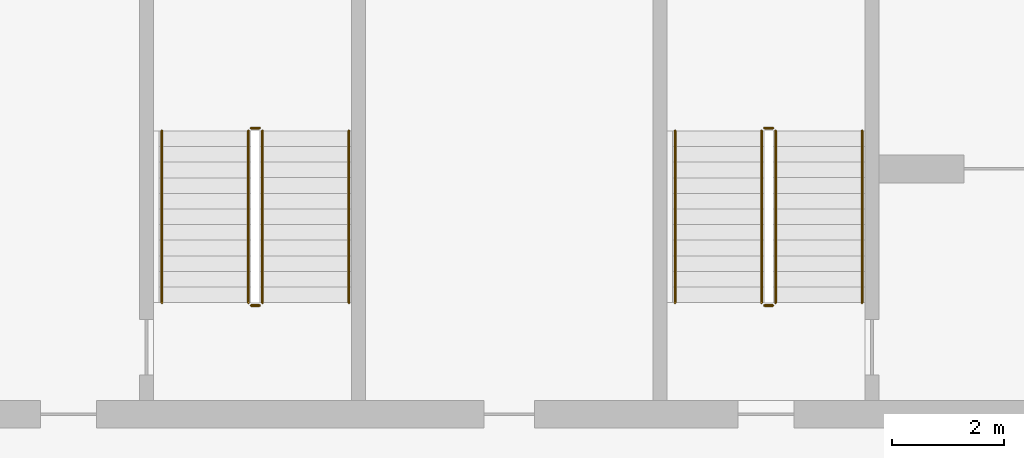
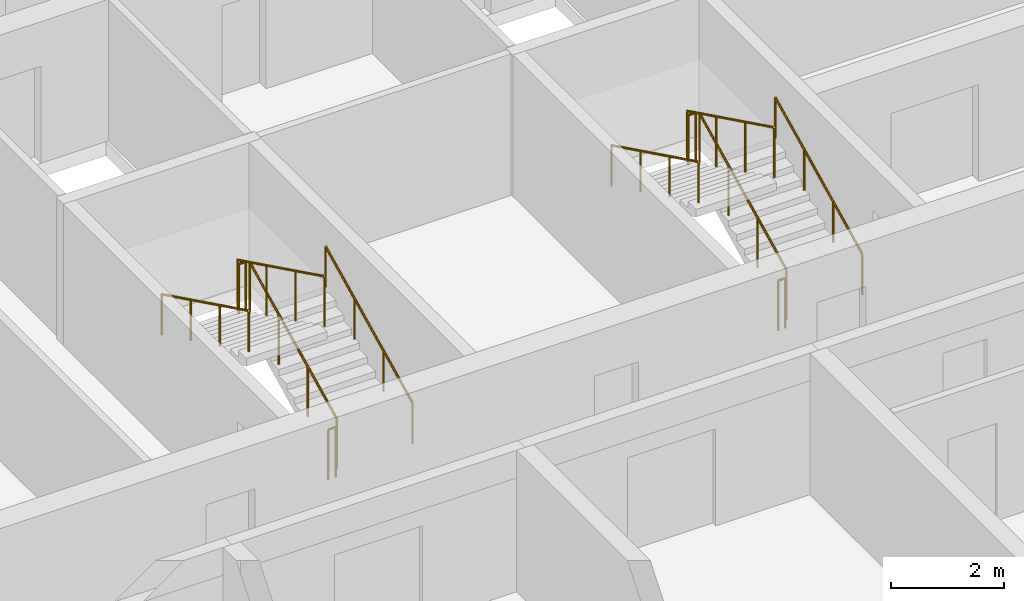
# One storey, part 16 of 18: 12 railings.
"""IFC4 building model written with IfcOpenShell, lengths in metres."""

from ifc_helpers import new_model, si_unit, direction, frame, origin, origin_2d, place, context, subcontext, project, spatial, circle, extrude, material, type_object, element, save


model = new_model("IFC4")

# Units and contexts
model_context = context("Model", 3, precision=1e-05, world=origin(), true_north=direction((0.0, 1.0)))
body_context = subcontext(model_context, "Body", "Model", "MODEL_VIEW")
ifc_project = project(units=[si_unit("LENGTHUNIT", "METRE"), si_unit("AREAUNIT", "SQUARE_METRE"), si_unit("VOLUMEUNIT", "CUBIC_METRE"), si_unit("PLANEANGLEUNIT", "RADIAN"), si_unit("MASSUNIT", "GRAM", prefix="KILO")], contexts=[model_context])

# Site, building, storey
site_placement = place(None, origin())
site = spatial("IfcSite", under=ifc_project, at=site_placement, CompositionType="ELEMENT")
building_placement = place(site_placement, origin())
building = spatial("IfcBuilding", under=site, at=building_placement, Name="Poui Terraces", CompositionType="ELEMENT")
storey_placement = place(building_placement, frame((0.0, 0.0, 105.89990234375)))
storey = spatial("IfcBuildingStorey", under=building, at=storey_placement, Name="L29", CompositionType="ELEMENT", Elevation=105.89990234375)

# Railings
ifc_material_1 = material(Name="Galvanised steel balustrade", Category="steel")
railing_type_1 = type_object("IfcRailingType", Name="STAIR GUARD 1100", PredefinedType="GUARDRAIL", material=ifc_material_1)
railing_1_placement = place(storey_placement, frame((32.074951171875, 16.60009765625, 0.1376953125)))
element("IfcRailing", 1, at=railing_1_placement, inside=storey, type_object=railing_type_1, Name="L29 ST-CW stair guard 1", PredefinedType="GUARDRAIL", context=body_context, shape_type="SweptSolid", body=[
    extrude(circle(Radius=0.02392578125, at=origin_2d()), frame((0.0, 0.0, 1.076171875), z_axis=(0.0, 0.897606190399, 0.440798283751), x_axis=(-1.0, 0.0, 0.0)), (0.0, 0.0, 1.0), 3.43115234375),
    extrude(circle(Radius=0.02099609375, at=origin_2d()), origin(), (0.0, 0.0, 1.0), 1.052001953125),
    extrude(circle(Radius=0.02099609375, at=origin_2d()), frame((0.0, 1.026611328125, 0.504150390625)), (0.0, 0.0, 1.0), 1.052001953125),
    extrude(circle(Radius=0.02099609375, at=origin_2d()), frame((0.0, 2.05322265625, 1.00830078125)), (0.0, 0.0, 1.0), 1.052001953125),
    extrude(circle(Radius=0.02099609375, at=origin_2d()), frame((0.0, 3.079833984375, 1.512451171875)), (0.0, 0.0, 1.0), 1.052001953125),
])
railing_2_placement = place(storey_placement, frame((32.02490234375, 19.72998046875, 1.650146484375)))
element("IfcRailing", 2, at=railing_2_placement, inside=storey, type_object=railing_type_1, Name="L29 ST-CW stair guard 2", PredefinedType="GUARDRAIL", context=body_context, shape_type="SweptSolid", body=[
    extrude(circle(Radius=0.02392578125, at=origin_2d()), frame((0.0, 0.0, 1.076171875), z_axis=(-1.0, 0.0, 0.0), x_axis=(0.0, -1.0, 0.0)), (0.0, 0.0, 1.0), 0.14990234375),
    extrude(circle(Radius=0.02099609375, at=origin_2d()), origin(), (0.0, 0.0, 1.0), 1.052001953125),
    extrude(circle(Radius=0.02099609375, at=origin_2d()), frame((-0.14990234375, 0.0, 0.0)), (0.0, 0.0, 1.0), 1.052001953125),
])
railing_3_placement = place(storey_placement, frame((31.824951171875, 19.679931640625, 1.78759765625)))
element("IfcRailing", 3, at=railing_3_placement, inside=storey, type_object=railing_type_1, Name="L29 ST-CW stair guard 3", PredefinedType="GUARDRAIL", context=body_context, shape_type="SweptSolid", body=[
    extrude(circle(Radius=0.02392578125, at=origin_2d()), frame((0.0, 0.0, 1.076171875), z_axis=(0.0, -0.897606190399, 0.440798283751), x_axis=(1.0, 0.0, 0.0)), (0.0, 0.0, 1.0), 3.43115234375),
    extrude(circle(Radius=0.02099609375, at=origin_2d()), origin(), (0.0, 0.0, 1.0), 1.052001953125),
    extrude(circle(Radius=0.02099609375, at=origin_2d()), frame((0.0, -1.026611328125, 0.504150390625)), (0.0, 0.0, 1.0), 1.052001953125),
    extrude(circle(Radius=0.02099609375, at=origin_2d()), frame((0.0, -2.05322265625, 1.00830078125)), (0.0, 0.0, 1.0), 1.052001953125),
    extrude(circle(Radius=0.02099609375, at=origin_2d()), frame((0.0, -3.079833984375, 1.512451171875)), (0.0, 0.0, 1.0), 1.052001953125),
])
railing_4_placement = place(storey_placement, frame((32.02490234375, 16.550048828125, 0.0)))
element("IfcRailing", 4, at=railing_4_placement, inside=storey, type_object=railing_type_1, Name="L29 ST-CW stair guard 4", PredefinedType="GUARDRAIL", context=body_context, shape_type="SweptSolid", body=[
    extrude(circle(Radius=0.02392578125, at=origin_2d()), frame((0.0, 0.0, 1.076171875), z_axis=(-1.0, 0.0, 0.0), x_axis=(0.0, -1.0, 0.0)), (0.0, 0.0, 1.0), 0.14990234375),
    extrude(circle(Radius=0.02099609375, at=origin_2d()), origin(), (0.0, 0.0, 1.0), 1.052001953125),
    extrude(circle(Radius=0.02099609375, at=origin_2d()), frame((-0.14990234375, 0.0, 0.0)), (0.0, 0.0, 1.0), 1.052001953125),
])
railing_5_placement = place(storey_placement, frame((22.875, 16.60009765625, 0.1376953125)))
element("IfcRailing", 5, at=railing_5_placement, inside=storey, type_object=railing_type_1, Name="L29 ST-W stair guard 1", PredefinedType="GUARDRAIL", context=body_context, shape_type="SweptSolid", body=[
    extrude(circle(Radius=0.02392578125, at=origin_2d()), frame((0.0, 0.0, 1.076171875), z_axis=(0.0, 0.897606190399, 0.440798283751), x_axis=(-1.0, 0.0, 0.0)), (0.0, 0.0, 1.0), 3.43115234375),
    extrude(circle(Radius=0.02099609375, at=origin_2d()), origin(), (0.0, 0.0, 1.0), 1.052001953125),
    extrude(circle(Radius=0.02099609375, at=origin_2d()), frame((0.0, 1.026611328125, 0.504150390625)), (0.0, 0.0, 1.0), 1.052001953125),
    extrude(circle(Radius=0.02099609375, at=origin_2d()), frame((0.0, 2.05322265625, 1.00830078125)), (0.0, 0.0, 1.0), 1.052001953125),
    extrude(circle(Radius=0.02099609375, at=origin_2d()), frame((0.0, 3.079833984375, 1.512451171875)), (0.0, 0.0, 1.0), 1.052001953125),
])
railing_6_placement = place(storey_placement, frame((22.824951171875, 19.72998046875, 1.650146484375)))
element("IfcRailing", 6, at=railing_6_placement, inside=storey, type_object=railing_type_1, Name="L29 ST-W stair guard 2", PredefinedType="GUARDRAIL", context=body_context, shape_type="SweptSolid", body=[
    extrude(circle(Radius=0.02392578125, at=origin_2d()), frame((0.0, 0.0, 1.076171875), z_axis=(-1.0, 0.0, 0.0), x_axis=(0.0, -1.0, 0.0)), (0.0, 0.0, 1.0), 0.14990234375),
    extrude(circle(Radius=0.02099609375, at=origin_2d()), origin(), (0.0, 0.0, 1.0), 1.052001953125),
    extrude(circle(Radius=0.02099609375, at=origin_2d()), frame((-0.14990234375, 0.0, 0.0)), (0.0, 0.0, 1.0), 1.052001953125),
])
railing_7_placement = place(storey_placement, frame((22.625, 19.679931640625, 1.78759765625)))
element("IfcRailing", 7, at=railing_7_placement, inside=storey, type_object=railing_type_1, Name="L29 ST-W stair guard 3", PredefinedType="GUARDRAIL", context=body_context, shape_type="SweptSolid", body=[
    extrude(circle(Radius=0.02392578125, at=origin_2d()), frame((0.0, 0.0, 1.076171875), z_axis=(0.0, -0.897606190399, 0.440798283751), x_axis=(1.0, 0.0, 0.0)), (0.0, 0.0, 1.0), 3.43115234375),
    extrude(circle(Radius=0.02099609375, at=origin_2d()), origin(), (0.0, 0.0, 1.0), 1.052001953125),
    extrude(circle(Radius=0.02099609375, at=origin_2d()), frame((0.0, -1.026611328125, 0.504150390625)), (0.0, 0.0, 1.0), 1.052001953125),
    extrude(circle(Radius=0.02099609375, at=origin_2d()), frame((0.0, -2.05322265625, 1.00830078125)), (0.0, 0.0, 1.0), 1.052001953125),
    extrude(circle(Radius=0.02099609375, at=origin_2d()), frame((0.0, -3.079833984375, 1.512451171875)), (0.0, 0.0, 1.0), 1.052001953125),
])
railing_8_placement = place(storey_placement, frame((22.824951171875, 16.550048828125, 0.0)))
element("IfcRailing", 8, at=railing_8_placement, inside=storey, type_object=railing_type_1, Name="L29 ST-W stair guard 4", PredefinedType="GUARDRAIL", context=body_context, shape_type="SweptSolid", body=[
    extrude(circle(Radius=0.02392578125, at=origin_2d()), frame((0.0, 0.0, 1.076171875), z_axis=(-1.0, 0.0, 0.0), x_axis=(0.0, -1.0, 0.0)), (0.0, 0.0, 1.0), 0.14990234375),
    extrude(circle(Radius=0.02099609375, at=origin_2d()), origin(), (0.0, 0.0, 1.0), 1.052001953125),
    extrude(circle(Radius=0.02099609375, at=origin_2d()), frame((-0.14990234375, 0.0, 0.0)), (0.0, 0.0, 1.0), 1.052001953125),
])
ifc_material_2 = material(Name="Stainless steel handrail", Category="steel")
railing_type_2 = type_object("IfcRailingType", Name="STAIR HANDRAIL 900", PredefinedType="HANDRAIL", material=ifc_material_2)
railing_9_placement = place(storey_placement, frame((33.625, 16.60009765625, 0.1376953125)))
element("IfcRailing", 9, at=railing_9_placement, inside=storey, type_object=railing_type_2, Name="L29 ST-CW stair handrail 1", PredefinedType="HANDRAIL", context=body_context, shape_type="SweptSolid", body=[
    extrude(circle(Radius=0.02392578125, at=origin_2d()), frame((0.0, 0.0, 0.8759765625), z_axis=(0.0, 0.897606190399, 0.440798283751), x_axis=(-1.0, 0.0, 0.0)), (0.0, 0.0, 1.0), 3.43115234375),
    extrude(circle(Radius=0.02099609375, at=origin_2d()), origin(), (0.0, 0.0, 1.0), 0.851806640625),
    extrude(circle(Radius=0.02099609375, at=origin_2d()), frame((0.0, 1.026611328125, 0.504150390625)), (0.0, 0.0, 1.0), 0.851806640625),
    extrude(circle(Radius=0.02099609375, at=origin_2d()), frame((0.0, 2.05322265625, 1.00830078125)), (0.0, 0.0, 1.0), 0.851806640625),
    extrude(circle(Radius=0.02099609375, at=origin_2d()), frame((0.0, 3.079833984375, 1.512451171875)), (0.0, 0.0, 1.0), 0.851806640625),
])
railing_10_placement = place(storey_placement, frame((30.27490234375, 19.679931640625, 1.78759765625)))
element("IfcRailing", 10, at=railing_10_placement, inside=storey, type_object=railing_type_2, Name="L29 ST-CW stair handrail 2", PredefinedType="HANDRAIL", context=body_context, shape_type="SweptSolid", body=[
    extrude(circle(Radius=0.02392578125, at=origin_2d()), frame((0.0, 0.0, 0.8759765625), z_axis=(0.0, -0.897606190399, 0.440798283751), x_axis=(1.0, 0.0, 0.0)), (0.0, 0.0, 1.0), 3.43115234375),
    extrude(circle(Radius=0.02099609375, at=origin_2d()), origin(), (0.0, 0.0, 1.0), 0.851806640625),
    extrude(circle(Radius=0.02099609375, at=origin_2d()), frame((0.0, -1.026611328125, 0.504150390625)), (0.0, 0.0, 1.0), 0.851806640625),
    extrude(circle(Radius=0.02099609375, at=origin_2d()), frame((0.0, -2.05322265625, 1.00830078125)), (0.0, 0.0, 1.0), 0.851806640625),
    extrude(circle(Radius=0.02099609375, at=origin_2d()), frame((0.0, -3.079833984375, 1.512451171875)), (0.0, 0.0, 1.0), 0.851806640625),
])
railing_11_placement = place(storey_placement, frame((24.425048828125, 16.60009765625, 0.1376953125)))
element("IfcRailing", 11, at=railing_11_placement, inside=storey, type_object=railing_type_2, Name="L29 ST-W stair handrail 1", PredefinedType="HANDRAIL", context=body_context, shape_type="SweptSolid", body=[
    extrude(circle(Radius=0.02392578125, at=origin_2d()), frame((0.0, 0.0, 0.8759765625), z_axis=(0.0, 0.897606190399, 0.440798283751), x_axis=(-1.0, 0.0, 0.0)), (0.0, 0.0, 1.0), 3.43115234375),
    extrude(circle(Radius=0.02099609375, at=origin_2d()), origin(), (0.0, 0.0, 1.0), 0.851806640625),
    extrude(circle(Radius=0.02099609375, at=origin_2d()), frame((0.0, 1.026611328125, 0.504150390625)), (0.0, 0.0, 1.0), 0.851806640625),
    extrude(circle(Radius=0.02099609375, at=origin_2d()), frame((0.0, 2.05322265625, 1.00830078125)), (0.0, 0.0, 1.0), 0.851806640625),
    extrude(circle(Radius=0.02099609375, at=origin_2d()), frame((0.0, 3.079833984375, 1.512451171875)), (0.0, 0.0, 1.0), 0.851806640625),
])
railing_12_placement = place(storey_placement, frame((21.074951171875, 19.679931640625, 1.78759765625)))
element("IfcRailing", 12, at=railing_12_placement, inside=storey, type_object=railing_type_2, Name="L29 ST-W stair handrail 2", PredefinedType="HANDRAIL", context=body_context, shape_type="SweptSolid", body=[
    extrude(circle(Radius=0.02392578125, at=origin_2d()), frame((0.0, 0.0, 0.8759765625), z_axis=(0.0, -0.897606190399, 0.440798283751), x_axis=(1.0, 0.0, 0.0)), (0.0, 0.0, 1.0), 3.43115234375),
    extrude(circle(Radius=0.02099609375, at=origin_2d()), origin(), (0.0, 0.0, 1.0), 0.851806640625),
    extrude(circle(Radius=0.02099609375, at=origin_2d()), frame((0.0, -1.026611328125, 0.504150390625)), (0.0, 0.0, 1.0), 0.851806640625),
    extrude(circle(Radius=0.02099609375, at=origin_2d()), frame((0.0, -2.05322265625, 1.00830078125)), (0.0, 0.0, 1.0), 0.851806640625),
    extrude(circle(Radius=0.02099609375, at=origin_2d()), frame((0.0, -3.079833984375, 1.512451171875)), (0.0, 0.0, 1.0), 0.851806640625),
])

save(model, "model.ifc")
